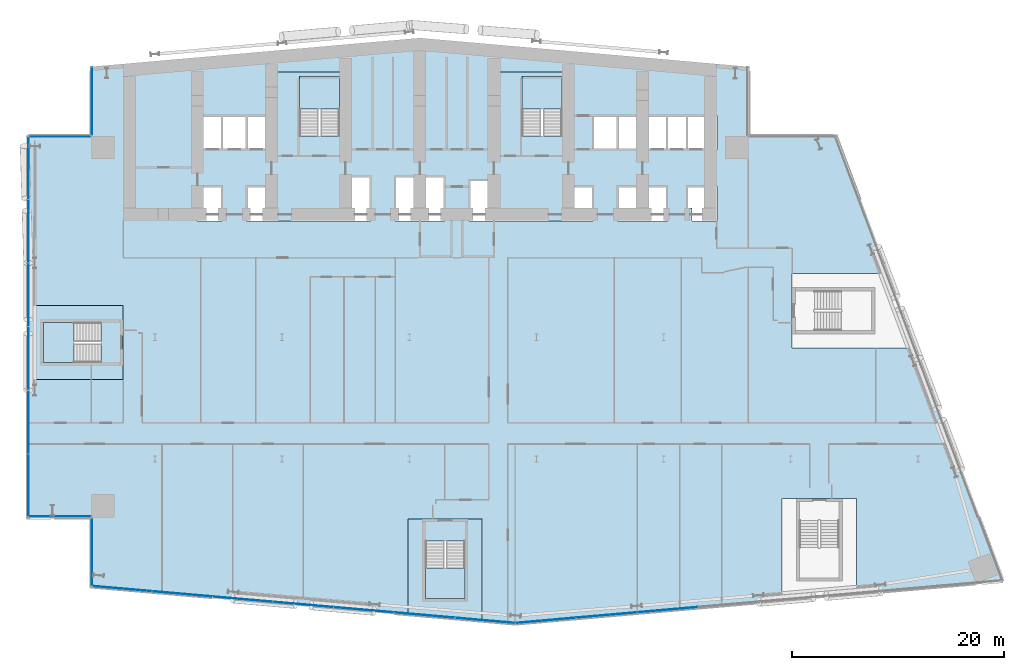
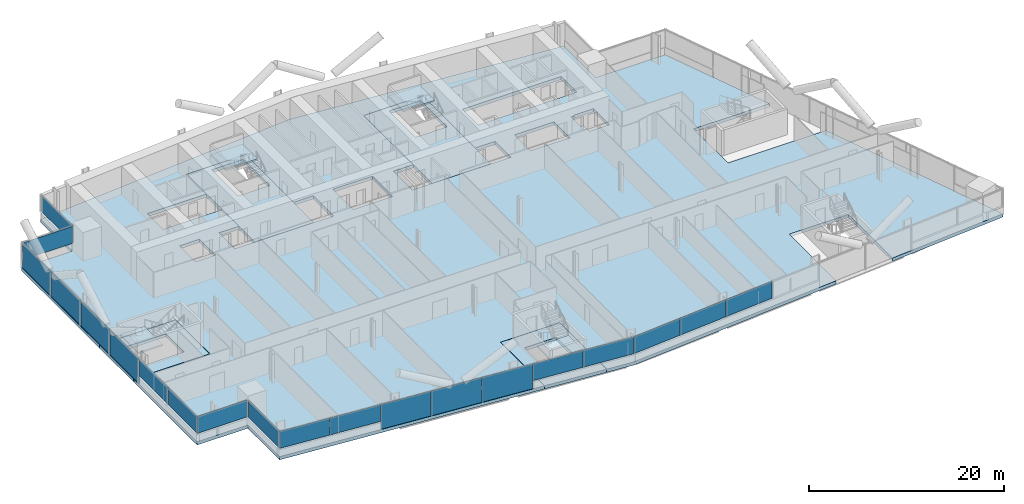
# One storey, part 11 of 27: 20 plates, 9 slabs, 11 elements without a shape of their own.
"""IFC4 building model written with IfcOpenShell, lengths in metres."""

from ifc_helpers import new_model, si_unit, direction, frame, origin, origin_2d, place, context, subcontext, project, spatial, polyline, rectangle, outline, extrude, material, layer, layer_set, type_object, element, aggregate, save


model = new_model("IFC4")

# Units and contexts
model_context = context("Model", 3, precision=1e-05, world=origin(), true_north=direction((0.0, 1.0)))
body_context = subcontext(model_context, "Body", "Model", "MODEL_VIEW")
ifc_project = project(units=[si_unit("LENGTHUNIT", "METRE"), si_unit("AREAUNIT", "SQUARE_METRE"), si_unit("VOLUMEUNIT", "CUBIC_METRE"), si_unit("PLANEANGLEUNIT", "RADIAN"), si_unit("MASSUNIT", "GRAM", prefix="KILO")], contexts=[model_context])

# Site, building, storey
site_placement = place(None, origin())
site = spatial("IfcSite", under=ifc_project, at=site_placement, CompositionType="ELEMENT")
building_placement = place(site_placement, origin())
building = spatial("IfcBuilding", under=site, at=building_placement, Name="Wharfspan Tower", CompositionType="ELEMENT")
storey_placement = place(building_placement, frame((0.0, 0.0, 84.699951)))
storey = spatial("IfcBuildingStorey", under=building, at=storey_placement, Name="L18", CompositionType="ELEMENT", Elevation=84.699951)

# Curtain wall, plates
ifc_material_1 = material(Name="Aluminium 6063-T6", Category="aluminium")
curtain_wall_type_1 = type_object("IfcCurtainWallType", Name="CURTAIN WALL FACETED FRONT", PredefinedType="NOTDEFINED", material=ifc_material_1)
curtain_wall_1_placement = place(storey_placement, origin())
curtain_wall_1 = element("IfcCurtainWall", 1, at=curtain_wall_1_placement, inside=storey, type_object=curtain_wall_type_1, Name="Curtain wall S1", PredefinedType="NOTDEFINED")
ifc_material_2 = material(Name="Glass clear low-iron double glazing", Category="glass")
ifc_layer_1 = layer(ifc_material_2, 0.040039)
ifc_layer_set_1 = layer_set([ifc_layer_1], Name="Glass clear low-iron double glazing")
plate_type_1 = type_object("IfcPlateType", Name="GLASS PANEL FACETED FRONT 40", PredefinedType="CURTAIN_PANEL", material=ifc_layer_set_1)
plate_1_placement = place(storey_placement, frame((8.877197, -0.716553, 1.0), z_axis=(0.0, 0.0, 1.0), x_axis=(0.996197, -0.087156, 0.0)))
plate_1 = element("IfcPlate", 2, at=plate_1_placement, type_object=plate_type_1, Name="Curtain wall S1 panel 1", PredefinedType="CURTAIN_PANEL", context=body_context, shape_type="SweptSolid", body=[
    extrude(rectangle(XDim=5.645996, YDim=0.040039, at=origin_2d()), origin(), (0.0, 0.0, 1.0), 2.120117),
])
plate_2_placement = place(storey_placement, frame((14.57666, -1.215088, 1.0), z_axis=(0.0, 0.0, 1.0), x_axis=(0.996197, -0.087156, 0.0)))
plate_2 = element("IfcPlate", 3, at=plate_2_placement, type_object=plate_type_1, Name="Curtain wall S1 panel 2", PredefinedType="CURTAIN_PANEL", context=body_context, shape_type="SweptSolid", body=[
    extrude(rectangle(XDim=5.676025, YDim=0.040039, at=origin_2d()), origin(), (0.0, 0.0, 1.0), 2.120117),
])
plate_3_placement = place(storey_placement, frame((37.433838, -3.214844, 1.0), z_axis=(0.0, 0.0, 1.0), x_axis=(0.996197, -0.087156, 0.0)))
plate_3 = element("IfcPlate", 4, at=plate_3_placement, type_object=plate_type_1, Name="Curtain wall S1 panel 6", PredefinedType="CURTAIN_PANEL", context=body_context, shape_type="SweptSolid", body=[
    extrude(rectangle(XDim=5.676025, YDim=0.040039, at=origin_2d()), origin(), (0.0, 0.0, 1.0), 2.120117),
])
plate_4_placement = place(storey_placement, frame((43.133057, -3.713379, 1.0), z_axis=(0.0, 0.0, 1.0), x_axis=(0.996197, -0.087156, 0.0)))
plate_4 = element("IfcPlate", 5, at=plate_4_placement, type_object=plate_type_1, Name="Curtain wall S1 panel 7", PredefinedType="CURTAIN_PANEL", context=body_context, shape_type="SweptSolid", body=[
    extrude(rectangle(XDim=5.645996, YDim=0.040039, at=origin_2d()), origin(), (0.0, 0.0, 1.0), 2.120117),
])

curtain_wall_2_placement = place(storey_placement, origin())
curtain_wall_2 = element("IfcCurtainWall", 6, at=curtain_wall_2_placement, inside=storey, type_object=curtain_wall_type_1, Name="Curtain wall S2", PredefinedType="NOTDEFINED")
plate_5_placement = place(storey_placement, frame((48.884766, -3.711914, 1.0), z_axis=(0.0, 0.0, 1.0), x_axis=(0.996197, 0.087156, 0.0)))
plate_5 = element("IfcPlate", 7, at=plate_5_placement, type_object=plate_type_1, Name="Curtain wall S2 panel 1", PredefinedType="CURTAIN_PANEL", context=body_context, shape_type="SweptSolid", body=[
    extrude(rectangle(XDim=5.681885, YDim=0.040039, at=origin_2d()), origin(), (0.0, 0.0, 1.0), 2.120117),
])
plate_6_placement = place(storey_placement, frame((54.619873, -3.210205, 1.0), z_axis=(0.0, 0.0, 1.0), x_axis=(0.996197, 0.087156, 0.0)))
plate_6 = element("IfcPlate", 8, at=plate_6_placement, type_object=plate_type_1, Name="Curtain wall S2 panel 2", PredefinedType="CURTAIN_PANEL", context=body_context, shape_type="SweptSolid", body=[
    extrude(rectangle(XDim=5.711914, YDim=0.040039, at=origin_2d()), origin(), (0.0, 0.0, 1.0), 2.120117),
])
plate_7_placement = place(storey_placement, frame((60.369873, -2.707031, 1.0), z_axis=(0.0, 0.0, 1.0), x_axis=(0.996197, 0.087156, 0.0)))
plate_7 = element("IfcPlate", 9, at=plate_7_placement, type_object=plate_type_1, Name="Curtain wall S2 panel 3", PredefinedType="CURTAIN_PANEL", context=body_context, shape_type="SweptSolid", body=[
    extrude(rectangle(XDim=5.711914, YDim=0.040039, at=origin_2d()), origin(), (0.0, 0.0, 1.0), 2.120117),
])
aggregate(curtain_wall_2, [plate_5, plate_6, plate_7])

# Curtain wall, plate
curtain_wall_type_2 = type_object("IfcCurtainWallType", Name="CURTAIN WALL PROW AND END", PredefinedType="NOTDEFINED", material=ifc_material_1)
curtain_wall_3_placement = place(storey_placement, origin())
curtain_wall_3 = element("IfcCurtainWall", 10, at=curtain_wall_3_placement, inside=storey, type_object=curtain_wall_type_2, Name="Curtain wall NRW-V", PredefinedType="NOTDEFINED")
ifc_layer_2 = layer(ifc_material_2, 0.040039)
ifc_layer_set_2 = layer_set([ifc_layer_2], Name="Glass clear low-iron double glazing")
plate_type_2 = type_object("IfcPlateType", Name="GLASS PANEL PROW AND END 40", PredefinedType="CURTAIN_PANEL", material=ifc_layer_set_2)
plate_8_placement = place(storey_placement, frame((6.080078, 45.262451, 1.0), z_axis=(0.0, 0.0, 1.0), x_axis=(0.0, -1.0, 0.0)))
plate_8 = element("IfcPlate", 11, at=plate_8_placement, type_object=plate_type_2, Name="Curtain wall NRW-V panel 1", PredefinedType="CURTAIN_PANEL", context=body_context, shape_type="SweptSolid", body=[
    extrude(rectangle(XDim=6.405029, YDim=0.040039, at=origin_2d()), origin(), (0.0, 0.0, 1.0), 2.120117),
])
aggregate(curtain_wall_3, [plate_8])

curtain_wall_4_placement = place(storey_placement, origin())
curtain_wall_4 = element("IfcCurtainWall", 12, at=curtain_wall_4_placement, inside=storey, type_object=curtain_wall_type_2, Name="Curtain wall NRW-H", PredefinedType="NOTDEFINED")
plate_9_placement = place(storey_placement, frame((3.0, 41.919922, 1.0), z_axis=(0.0, 0.0, 1.0), x_axis=(-1.0, 0.0, 0.0)))
plate_9 = element("IfcPlate", 13, at=plate_9_placement, type_object=plate_type_2, Name="Curtain wall NRW-H panel 1", PredefinedType="CURTAIN_PANEL", context=body_context, shape_type="SweptSolid", body=[
    extrude(rectangle(XDim=5.879883, YDim=0.040039, at=origin_2d()), origin(), (0.0, 0.0, 1.0), 2.120117),
])
aggregate(curtain_wall_4, [plate_9])

# Curtain wall, plates
curtain_wall_5_placement = place(storey_placement, origin())
curtain_wall_5 = element("IfcCurtainWall", 14, at=curtain_wall_5_placement, inside=storey, type_object=curtain_wall_type_2, Name="Curtain wall W", PredefinedType="NOTDEFINED")
plate_10_placement = place(storey_placement, frame((0.080078, 15.0, 1.0), z_axis=(0.0, 0.0, 1.0), x_axis=(0.0, -1.0, 0.0)))
plate_10 = element("IfcPlate", 15, at=plate_10_placement, type_object=plate_type_2, Name="Curtain wall W panel 5", PredefinedType="CURTAIN_PANEL", context=body_context, shape_type="SweptSolid", body=[
    extrude(rectangle(XDim=5.939941, YDim=0.040039, at=origin_2d()), origin(), (0.0, 0.0, 1.0), 2.120117),
])
plate_11_placement = place(storey_placement, frame((0.080078, 9.014893, 1.0), z_axis=(0.0, 0.0, 1.0), x_axis=(0.0, -1.0, 0.0)))
plate_11 = element("IfcPlate", 16, at=plate_11_placement, type_object=plate_type_2, Name="Curtain wall W panel 6", PredefinedType="CURTAIN_PANEL", context=body_context, shape_type="SweptSolid", body=[
    extrude(rectangle(XDim=5.909912, YDim=0.040039, at=origin_2d()), origin(), (0.0, 0.0, 1.0), 2.120117),
])

# Curtain wall, plate
curtain_wall_6_placement = place(storey_placement, origin())
curtain_wall_6 = element("IfcCurtainWall", 17, at=curtain_wall_6_placement, inside=storey, type_object=curtain_wall_type_2, Name="Curtain wall NFW-H", PredefinedType="NOTDEFINED")
plate_12_placement = place(storey_placement, frame((3.0, 6.080078, 1.0), z_axis=(0.0, 0.0, 1.0), x_axis=(1.0, 0.0, 0.0)))
plate_12 = element("IfcPlate", 18, at=plate_12_placement, type_object=plate_type_2, Name="Curtain wall NFW-H panel 1", PredefinedType="CURTAIN_PANEL", context=body_context, shape_type="SweptSolid", body=[
    extrude(rectangle(XDim=5.879883, YDim=0.040039, at=origin_2d()), origin(), (0.0, 0.0, 1.0), 2.120117),
])
aggregate(curtain_wall_6, [plate_12])

curtain_wall_7_placement = place(storey_placement, origin())
curtain_wall_7 = element("IfcCurtainWall", 19, at=curtain_wall_7_placement, inside=storey, type_object=curtain_wall_type_2, Name="Curtain wall NFW-V", PredefinedType="NOTDEFINED")
plate_13_placement = place(storey_placement, frame((6.080078, 2.737549, 1.0), z_axis=(0.0, 0.0, 1.0), x_axis=(0.0, -1.0, 0.0)))
plate_13 = element("IfcPlate", 20, at=plate_13_placement, type_object=plate_type_2, Name="Curtain wall NFW-V panel 1", PredefinedType="CURTAIN_PANEL", context=body_context, shape_type="SweptSolid", body=[
    extrude(rectangle(XDim=6.405029, YDim=0.040039, at=origin_2d()), origin(), (0.0, 0.0, 1.0), 2.120117),
])
aggregate(curtain_wall_7, [plate_13])

# Plate
ifc_material_3 = material(Name="Aluminium composite opaque insulated panel", Category="aluminium")
ifc_layer_3 = layer(ifc_material_3, 0.040039)
ifc_layer_set_3 = layer_set([ifc_layer_3], Name="Aluminium composite opaque insulated panel")
plate_type_3 = type_object("IfcPlateType", Name="INFILL PANEL FACETED FRONT OPAQUE 40", PredefinedType="SHEET", material=ifc_layer_set_3)
plate_14_placement = place(storey_placement, frame((20.291016, -1.715088, 0.0), z_axis=(0.0, 0.0, 1.0), x_axis=(0.996197, -0.087156, 0.0)))
plate_14 = element("IfcPlate", 21, at=plate_14_placement, type_object=plate_type_3, Name="Curtain wall S1 panel 3", PredefinedType="SHEET", context=body_context, shape_type="SweptSolid", body=[
    extrude(rectangle(XDim=5.676025, YDim=0.040039, at=origin_2d()), origin(), (0.0, 0.0, 1.0), 3.120117),
])

plate_15_placement = place(storey_placement, frame((26.005127, -2.214844, 0.0), z_axis=(0.0, 0.0, 1.0), x_axis=(0.996197, -0.087156, 0.0)))
plate_15 = element("IfcPlate", 22, at=plate_15_placement, type_object=plate_type_3, Name="Curtain wall S1 panel 4", PredefinedType="SHEET", context=body_context, shape_type="SweptSolid", body=[
    extrude(rectangle(XDim=5.676025, YDim=0.040039, at=origin_2d()), origin(), (0.0, 0.0, 1.0), 3.120117),
])

plate_16_placement = place(storey_placement, frame((31.719482, -2.714844, 0.0), z_axis=(0.0, 0.0, 1.0), x_axis=(0.996197, -0.087156, 0.0)))
plate_16 = element("IfcPlate", 23, at=plate_16_placement, type_object=plate_type_3, Name="Curtain wall S1 panel 5", PredefinedType="SHEET", context=body_context, shape_type="SweptSolid", body=[
    extrude(rectangle(XDim=5.676025, YDim=0.040039, at=origin_2d()), origin(), (0.0, 0.0, 1.0), 3.120117),
])

aggregate(curtain_wall_1, [plate_1, plate_2, plate_14, plate_15, plate_16, plate_3, plate_4])

ifc_layer_4 = layer(ifc_material_3, 0.040039)
ifc_layer_set_4 = layer_set([ifc_layer_4], Name="Aluminium composite opaque insulated panel")
plate_type_4 = type_object("IfcPlateType", Name="INFILL PANEL PROW AND END OPAQUE 40", PredefinedType="SHEET", material=ifc_layer_set_4)
plate_17_placement = place(storey_placement, frame((0.080078, 38.985107, 0.0), z_axis=(0.0, 0.0, 1.0), x_axis=(0.0, -1.0, 0.0)))
plate_17 = element("IfcPlate", 24, at=plate_17_placement, type_object=plate_type_4, Name="Curtain wall W panel 1", PredefinedType="SHEET", context=body_context, shape_type="SweptSolid", body=[
    extrude(rectangle(XDim=5.909912, YDim=0.040039, at=origin_2d()), origin(), (0.0, 0.0, 1.0), 3.120117),
])

plate_18_placement = place(storey_placement, frame((0.080078, 33.0, 0.0), z_axis=(0.0, 0.0, 1.0), x_axis=(0.0, -1.0, 0.0)))
plate_18 = element("IfcPlate", 25, at=plate_18_placement, type_object=plate_type_4, Name="Curtain wall W panel 2", PredefinedType="SHEET", context=body_context, shape_type="SweptSolid", body=[
    extrude(rectangle(XDim=5.939941, YDim=0.040039, at=origin_2d()), origin(), (0.0, 0.0, 1.0), 3.120117),
])

plate_19_placement = place(storey_placement, frame((0.080078, 27.0, 0.0), z_axis=(0.0, 0.0, 1.0), x_axis=(0.0, -1.0, 0.0)))
plate_19 = element("IfcPlate", 26, at=plate_19_placement, type_object=plate_type_4, Name="Curtain wall W panel 3", PredefinedType="SHEET", context=body_context, shape_type="SweptSolid", body=[
    extrude(rectangle(XDim=5.939941, YDim=0.040039, at=origin_2d()), origin(), (0.0, 0.0, 1.0), 3.120117),
])

plate_20_placement = place(storey_placement, frame((0.080078, 21.0, 0.0), z_axis=(0.0, 0.0, 1.0), x_axis=(0.0, -1.0, 0.0)))
plate_20 = element("IfcPlate", 27, at=plate_20_placement, type_object=plate_type_4, Name="Curtain wall W panel 4", PredefinedType="SHEET", context=body_context, shape_type="SweptSolid", body=[
    extrude(rectangle(XDim=5.939941, YDim=0.040039, at=origin_2d()), origin(), (0.0, 0.0, 1.0), 3.120117),
])

aggregate(curtain_wall_5, [plate_17, plate_18, plate_19, plate_20, plate_10, plate_11])

# Slabs
ifc_material_4 = material(Name="Concrete C40/50", Category="concrete")
ifc_layer_5 = layer(ifc_material_4, 0.399902)
ifc_layer_set_5 = layer_set([ifc_layer_5], Name="Concrete C40/50")
slab_type_1 = type_object("IfcSlabType", Name="Post-tensioned flat slab 400", PredefinedType="FLOOR", material=ifc_layer_set_5)
slab_1_placement = place(storey_placement, frame((0.0, 0.0, -0.400146)))
element("IfcSlab", 28, at=slab_1_placement, inside=storey, type_object=slab_type_1, Name="Floor slab L18", PredefinedType="FLOOR", context=body_context, shape_type="SweptSolid", body=[
    extrude(outline(polyline([(35.873291, -3.138428), (35.873291, 5.870605), (42.893311, 5.870605), (42.893311, -3.752686), (46.0, -4.024414), (71.182617, -1.821289), (71.182617, 7.802002), (78.202393, 7.802002), (78.202393, -1.207031), (92.0, 0.0), (83.753662, 21.98999), (72.11499, 21.98999), (72.11499, 29.01001), (81.121338, 29.01001), (76.25, 42.0), (68.0, 42.0), (68.0, 48.524902), (37.0, 51.237061), (6.0, 48.524902), (6.0, 42.0), (0.0, 42.0), (0.0, 26.01001), (9.01001, 26.01001), (9.01001, 18.98999), (0.0, 18.98999), (0.0, 6.0), (6.0, 6.0), (6.0, -0.524902), (35.873291, -3.138428)]), holes=[polyline([(62.290039, 37.159912), (62.656738, 37.159912), (62.656738, 37.26001), (65.01001, 37.26001), (65.01001, 33.98999), (62.656738, 33.98999), (62.656738, 35.189941), (62.290039, 35.189941), (62.290039, 37.159912)]), polyline([(65.01001, 43.909912), (65.01001, 40.689941), (53.323242, 40.689941), (53.323242, 43.909912), (65.01001, 43.909912)]), polyline([(55.656738, 33.98999), (55.656738, 37.26001), (60.343262, 37.26001), (60.343262, 33.98999), (55.656738, 33.98999)]), polyline([(43.98999, 37.860107), (43.98999, 48.01001), (51.01001, 48.01001), (51.01001, 37.26001), (53.343262, 37.26001), (53.343262, 33.98999), (41.656738, 33.98999), (41.656738, 37.860107), (43.98999, 37.860107)]), polyline([(34.656738, 33.98999), (34.656738, 38.159912), (39.343262, 38.159912), (39.343262, 33.98999), (34.656738, 33.98999)]), polyline([(15.98999, 40.689941), (15.98999, 43.909912), (20.656738, 43.909912), (20.676758, 43.909912), (22.98999, 43.909912), (22.98999, 48.01001), (30.01001, 48.01001), (30.01001, 38.159912), (32.343262, 38.159912), (32.343262, 33.98999), (20.656738, 33.98999), (20.656738, 37.26001), (22.98999, 37.26001), (22.98999, 40.689941), (20.676758, 40.689941), (20.656738, 40.689941), (15.98999, 40.689941)]), polyline([(18.343262, 37.26001), (18.343262, 33.98999), (15.98999, 33.98999), (15.98999, 37.26001), (18.343262, 37.26001)])]), origin(), (0.0, 0.0, 1.0), 0.400146),
])
slab_2_placement = place(storey_placement, frame((0.0, 0.0, -0.400146)))
element("IfcSlab", 29, at=slab_2_placement, inside=storey, type_object=slab_type_1, Name="Core floor slab L18 part 1", PredefinedType="FLOOR", context=body_context, shape_type="SweptSolid", body=[
    extrude(outline(polyline([(9.0, 20.324951), (9.0, 24.675049), (9.0, 26.0), (0.0, 26.0), (0.0, 19.0), (9.0, 19.0), (9.0, 20.324951)]), holes=[polyline([(6.9021, 20.625), (6.9021, 20.624756), (6.9021, 20.624512), (6.901855, 20.624512), (6.901855, 20.624268), (6.901855, 20.624023), (6.901611, 20.623779), (6.901611, 20.623779), (6.901367, 20.623535), (6.901367, 20.623535), (6.901123, 20.623291), (6.900879, 20.623291), (6.900879, 20.623291), (6.900635, 20.623047), (6.900391, 20.623047), (6.900146, 20.623047), (6.899902, 20.623047), (1.5, 20.623047), (1.499756, 20.623047), (1.499512, 20.623047), (1.499512, 20.623047), (1.499268, 20.623291), (1.499023, 20.623291), (1.498779, 20.623291), (1.498779, 20.623535), (1.498535, 20.623535), (1.498535, 20.623779), (1.498291, 20.623779), (1.498291, 20.624023), (1.498291, 20.624268), (1.498047, 20.624512), (1.498047, 20.624512), (1.498047, 20.624756), (1.498047, 20.625), (1.498047, 24.375), (1.498047, 24.375244), (1.498047, 24.375488), (1.498047, 24.375488), (1.498291, 24.375732), (1.498291, 24.375977), (1.498291, 24.376221), (1.498535, 24.376221), (1.498535, 24.376465), (1.498779, 24.376465), (1.498779, 24.376709), (1.499023, 24.376709), (1.499268, 24.376709), (1.499512, 24.376953), (1.499512, 24.376953), (1.499756, 24.376953), (1.5, 24.376953), (6.899902, 24.376953), (6.900146, 24.376953), (6.900391, 24.376953), (6.900635, 24.376953), (6.900879, 24.376709), (6.900879, 24.376709), (6.901123, 24.376709), (6.901367, 24.376465), (6.901367, 24.376465), (6.901611, 24.376221), (6.901611, 24.376221), (6.901855, 24.375977), (6.901855, 24.375732), (6.901855, 24.375488), (6.9021, 24.375488), (6.9021, 24.375244), (6.9021, 24.375), (6.9021, 20.625)])]), origin(), (0.0, 0.0, 1.0), 0.400146),
])
slab_3_placement = place(storey_placement, frame((0.0, 0.0, -0.400146)))
element("IfcSlab", 30, at=slab_3_placement, inside=storey, type_object=slab_type_1, Name="Core floor slab L18 part 2", PredefinedType="FLOOR", context=body_context, shape_type="SweptSolid", body=[
    extrude(outline(polyline([(20.664795, 34.0), (20.664795, 37.25), (20.664795, 37.250244), (20.664795, 37.250488), (20.664795, 37.250488), (20.664795, 37.250732), (20.664795, 37.250977), (20.665039, 37.251221), (20.665039, 37.251221), (20.665283, 37.251465), (20.665283, 37.251465), (20.665527, 37.251709), (20.665771, 37.251709), (20.666016, 37.251709), (20.666016, 37.251953), (20.66626, 37.251953), (20.666504, 37.251953), (20.666748, 37.251953), (23.0, 37.251953), (23.000244, 37.251953), (23.000488, 37.251953), (23.000488, 37.251953), (23.000732, 37.251709), (23.000977, 37.251709), (23.001221, 37.251709), (23.001221, 37.251465), (23.001465, 37.251465), (23.001465, 37.251221), (23.001709, 37.251221), (23.001709, 37.250977), (23.001709, 37.250732), (23.001953, 37.250488), (23.001953, 37.250488), (23.001953, 37.250244), (23.001953, 37.25), (23.001953, 34.0), (29.998047, 34.0), (29.998047, 38.149902), (29.998047, 38.150146), (29.998047, 38.150391), (29.998047, 38.150635), (29.998291, 38.150879), (29.998291, 38.150879), (29.998291, 38.151123), (29.998535, 38.151367), (29.998535, 38.151367), (29.998779, 38.151611), (29.998779, 38.151611), (29.999023, 38.151855), (29.999268, 38.151855), (29.999512, 38.151855), (29.999512, 38.1521), (29.999756, 38.1521), (30.0, 38.1521), (32.333252, 38.1521), (32.333496, 38.1521), (32.33374, 38.1521), (32.333984, 38.151855), (32.333984, 38.151855), (32.334229, 38.151855), (32.334473, 38.151611), (32.334717, 38.151611), (32.334717, 38.151367), (32.334961, 38.151367), (32.334961, 38.151123), (32.335205, 38.150879), (32.335205, 38.150879), (32.335205, 38.150635), (32.335205, 38.150391), (32.335205, 38.150146), (32.335205, 38.149902), (32.335205, 34.0), (32.341309, 34.0), (32.341309, 38.157959), (30.01001, 38.157959), (30.009766, 38.157959), (30.009521, 38.157959), (30.009521, 38.158203), (30.009277, 38.158203), (30.009033, 38.158203), (30.008789, 38.158203), (30.008789, 38.158447), (30.008545, 38.158691), (30.008545, 38.158691), (30.008301, 38.158936), (30.008301, 38.15918), (30.008301, 38.15918), (30.008057, 38.159424), (30.008057, 38.159668), (30.008057, 38.159912), (30.008057, 38.159912), (30.008057, 48.008057), (22.991943, 48.008057), (22.991943, 43.909912), (22.991943, 43.909912), (22.991943, 43.909668), (22.991943, 43.909424), (22.991699, 43.90918), (22.991699, 43.90918), (22.991699, 43.908936), (22.991455, 43.908691), (22.991455, 43.908691), (22.991211, 43.908447), (22.991211, 43.908203), (22.990967, 43.908203), (22.990723, 43.908203), (22.990479, 43.908203), (22.990479, 43.907959), (22.990234, 43.907959), (22.98999, 43.907959), (15.991943, 43.907959), (15.991943, 40.691895), (22.98999, 40.691895), (22.990234, 40.691895), (22.990479, 40.691895), (22.990479, 40.691895), (22.990723, 40.691895), (22.990967, 40.691895), (22.991211, 40.69165), (22.991211, 40.691406), (22.991455, 40.691406), (22.991455, 40.691406), (22.991699, 40.691162), (22.991699, 40.690918), (22.991699, 40.690918), (22.991943, 40.690674), (22.991943, 40.69043), (22.991943, 40.690186), (22.991943, 40.689941), (22.991943, 37.26001), (22.991943, 37.259766), (22.991943, 37.259521), (22.991943, 37.259521), (22.991699, 37.259277), (22.991699, 37.259033), (22.991699, 37.258789), (22.991455, 37.258789), (22.991455, 37.258545), (22.991211, 37.258545), (22.991211, 37.258301), (22.990967, 37.258301), (22.990723, 37.258301), (22.990479, 37.258057), (22.990479, 37.258057), (22.990234, 37.258057), (22.98999, 37.258057), (20.658691, 37.258057), (20.658691, 34.0), (20.664795, 34.0)]), holes=[polyline([(29.4021, 42.0), (29.4021, 41.999756), (29.4021, 41.999512), (29.401855, 41.999512), (29.401855, 41.999268), (29.401855, 41.999023), (29.401611, 41.998779), (29.401611, 41.998779), (29.401367, 41.998535), (29.401367, 41.998535), (29.401123, 41.998291), (29.400879, 41.998291), (29.400879, 41.998291), (29.400635, 41.998047), (29.400391, 41.998047), (29.400146, 41.998047), (29.399902, 41.998047), (25.649902, 41.998047), (25.649902, 41.998047), (25.649658, 41.998047), (25.649414, 41.998047), (25.64917, 41.998291), (25.64917, 41.998291), (25.648926, 41.998291), (25.648682, 41.998535), (25.648682, 41.998535), (25.648438, 41.998779), (25.648193, 41.998779), (25.648193, 41.999023), (25.648193, 41.999268), (25.648193, 41.999512), (25.647949, 41.999512), (25.647949, 41.999756), (25.647949, 42.0), (25.647949, 47.399902), (25.647949, 47.400146), (25.647949, 47.400391), (25.648193, 47.400635), (25.648193, 47.400879), (25.648193, 47.400879), (25.648193, 47.401123), (25.648438, 47.401367), (25.648682, 47.401367), (25.648682, 47.401611), (25.648926, 47.401611), (25.64917, 47.401855), (25.64917, 47.401855), (25.649414, 47.401855), (25.649658, 47.4021), (25.649902, 47.4021), (25.649902, 47.4021), (29.399902, 47.4021), (29.400146, 47.4021), (29.400391, 47.4021), (29.400635, 47.401855), (29.400879, 47.401855), (29.400879, 47.401855), (29.401123, 47.401611), (29.401367, 47.401611), (29.401367, 47.401367), (29.401611, 47.401367), (29.401611, 47.401123), (29.401855, 47.400879), (29.401855, 47.400879), (29.401855, 47.400635), (29.4021, 47.400391), (29.4021, 47.400146), (29.4021, 47.399902), (29.4021, 42.0)]), polyline([(16.0, 40.697998), (15.999756, 40.697998), (15.999512, 40.697998), (15.999512, 40.697998), (15.999268, 40.698242), (15.999023, 40.698242), (15.998779, 40.698242), (15.998779, 40.698486), (15.998535, 40.698486), (15.998535, 40.69873), (15.998291, 40.698975), (15.998291, 40.699219), (15.998291, 40.699219), (15.998047, 40.699463), (15.998047, 40.699707), (15.998047, 40.699707), (15.998047, 40.699951), (15.998047, 43.899902), (15.998047, 43.900146), (15.998047, 43.900391), (15.998047, 43.900635), (15.998291, 43.900879), (15.998291, 43.900879), (15.998291, 43.901123), (15.998535, 43.901367), (15.998535, 43.901367), (15.998779, 43.901611), (15.998779, 43.901611), (15.999023, 43.901855), (15.999268, 43.901855), (15.999512, 43.901855), (15.999512, 43.9021), (15.999756, 43.9021), (16.0, 43.9021), (20.666748, 43.9021), (20.666748, 43.9021), (23.0, 43.9021), (23.000244, 43.9021), (23.000488, 43.9021), (23.000488, 43.901855), (23.000732, 43.901855), (23.000977, 43.901855), (23.001221, 43.901611), (23.001221, 43.901611), (23.001465, 43.901367), (23.001465, 43.901367), (23.001709, 43.901123), (23.001709, 43.900879), (23.001709, 43.900879), (23.001953, 43.900635), (23.001953, 43.900391), (23.001953, 43.900146), (23.001953, 43.899902), (23.001953, 40.699951), (23.001953, 40.699707), (23.001953, 40.699707), (23.001953, 40.699463), (23.001709, 40.699219), (23.001709, 40.699219), (23.001709, 40.698975), (23.001465, 40.69873), (23.001465, 40.698486), (23.001221, 40.698486), (23.001221, 40.698242), (23.000977, 40.698242), (23.000732, 40.698242), (23.000488, 40.697998), (23.000488, 40.697998), (23.000244, 40.697998), (23.0, 40.697998), (20.666748, 40.697998), (20.666748, 40.697998), (16.0, 40.697998)])]), origin(), (0.0, 0.0, 1.0), 0.400146),
])
slab_4_placement = place(storey_placement, frame((0.0, 0.0, -0.400146)))
element("IfcSlab", 31, at=slab_4_placement, inside=storey, type_object=slab_type_1, Name="Core floor slab L18 part 3", PredefinedType="FLOOR", context=body_context, shape_type="SweptSolid", body=[
    extrude(outline(polyline([(41.55835, 5.860596), (37.208252, 5.860596), (35.883301, 5.860596), (35.883301, -3.139404), (42.883301, -3.751709), (42.883301, 5.860596), (41.55835, 5.860596)]), holes=[polyline([(37.506348, 3.760498), (37.506348, 3.760742), (37.506348, 3.760986), (37.506348, 3.76123), (37.506592, 3.761475), (37.506592, 3.761719), (37.506592, 3.761719), (37.506836, 3.761963), (37.506836, 3.761963), (37.50708, 3.762207), (37.50708, 3.762207), (37.507324, 3.762451), (37.507568, 3.762451), (37.507812, 3.762451), (37.507812, 3.762695), (37.508057, 3.762695), (37.508301, 3.762695), (41.258301, 3.762695), (41.258545, 3.762695), (41.258789, 3.762695), (41.258789, 3.762451), (41.259033, 3.762451), (41.259277, 3.762451), (41.259521, 3.762207), (41.259521, 3.762207), (41.259766, 3.761963), (41.26001, 3.761963), (41.26001, 3.761719), (41.26001, 3.761719), (41.260254, 3.761475), (41.260254, 3.76123), (41.260254, 3.760986), (41.260254, 3.760742), (41.260254, 3.760498), (41.260254, -1.639404), (41.260254, -1.639648), (41.260254, -1.639893), (41.260254, -1.639893), (41.260254, -1.640137), (41.26001, -1.640381), (41.26001, -1.640381), (41.26001, -1.640625), (41.259766, -1.640869), (41.259521, -1.640869), (41.259521, -1.641113), (41.259277, -1.641113), (41.259033, -1.641113), (41.258789, -1.641357), (41.258789, -1.641357), (41.258545, -1.641357), (41.258301, -1.641357), (37.508301, -1.641357), (37.508057, -1.641357), (37.507812, -1.641357), (37.507812, -1.641357), (37.507568, -1.641113), (37.507324, -1.641113), (37.50708, -1.641113), (37.50708, -1.640869), (37.506836, -1.640869), (37.506836, -1.640625), (37.506592, -1.640381), (37.506592, -1.640381), (37.506592, -1.640137), (37.506348, -1.639893), (37.506348, -1.639893), (37.506348, -1.639648), (37.506348, -1.639404), (37.506348, 3.760498)])]), origin(), (0.0, 0.0, 1.0), 0.400146),
])
slab_5_placement = place(storey_placement, frame((0.0, 0.0, -0.400146)))
element("IfcSlab", 32, at=slab_5_placement, inside=storey, type_object=slab_type_1, Name="Core floor slab L18 part 4", PredefinedType="FLOOR", context=body_context, shape_type="SweptSolid", body=[
    extrude(outline(polyline([(53.341309, 34.0), (53.341309, 37.258057), (51.01001, 37.258057), (51.009766, 37.258057), (51.009521, 37.258057), (51.009521, 37.258057), (51.009277, 37.258301), (51.009033, 37.258301), (51.008789, 37.258301), (51.008789, 37.258545), (51.008545, 37.258545), (51.008545, 37.258789), (51.008301, 37.258789), (51.008301, 37.259033), (51.008301, 37.259277), (51.008057, 37.259521), (51.008057, 37.259521), (51.008057, 37.259766), (51.008057, 37.26001), (51.008057, 48.008057), (43.991943, 48.008057), (43.991943, 37.860107), (43.991943, 37.859863), (43.991943, 37.859619), (43.991943, 37.859375), (43.991699, 37.859131), (43.991699, 37.859131), (43.991699, 37.858887), (43.991455, 37.858643), (43.991455, 37.858643), (43.991211, 37.858398), (43.991211, 37.858398), (43.990967, 37.858154), (43.990723, 37.858154), (43.990479, 37.858154), (43.990479, 37.85791), (43.990234, 37.85791), (43.98999, 37.85791), (41.658691, 37.85791), (41.658691, 34.0), (41.664795, 34.0), (41.664795, 37.850098), (41.664795, 37.850098), (41.664795, 37.850342), (41.664795, 37.850586), (41.664795, 37.85083), (41.664795, 37.85083), (41.665039, 37.851074), (41.665039, 37.851318), (41.665283, 37.851318), (41.665283, 37.851562), (41.665527, 37.851807), (41.665771, 37.851807), (41.666016, 37.851807), (41.666016, 37.851807), (41.66626, 37.852051), (41.666504, 37.852051), (41.666748, 37.852051), (44.0, 37.852051), (44.000244, 37.852051), (44.000488, 37.852051), (44.000488, 37.851807), (44.000732, 37.851807), (44.000977, 37.851807), (44.001221, 37.851807), (44.001221, 37.851562), (44.001465, 37.851318), (44.001465, 37.851318), (44.001709, 37.851074), (44.001709, 37.85083), (44.001709, 37.85083), (44.001953, 37.850586), (44.001953, 37.850342), (44.001953, 37.850098), (44.001953, 37.850098), (44.001953, 34.0), (50.998047, 34.0), (50.998047, 37.25), (50.998047, 37.250244), (50.998047, 37.250488), (50.998047, 37.250488), (50.998291, 37.250732), (50.998291, 37.250977), (50.998291, 37.251221), (50.998535, 37.251221), (50.998535, 37.251465), (50.998779, 37.251465), (50.998779, 37.251709), (50.999023, 37.251709), (50.999268, 37.251709), (50.999512, 37.251953), (50.999512, 37.251953), (50.999756, 37.251953), (51.0, 37.251953), (53.333252, 37.251953), (53.333496, 37.251953), (53.33374, 37.251953), (53.333984, 37.251953), (53.333984, 37.251709), (53.334229, 37.251709), (53.334473, 37.251709), (53.334717, 37.251465), (53.334717, 37.251465), (53.334961, 37.251221), (53.334961, 37.251221), (53.335205, 37.250977), (53.335205, 37.250732), (53.335205, 37.250488), (53.335205, 37.250488), (53.335205, 37.250244), (53.335205, 37.25), (53.335205, 34.0), (53.341309, 34.0)]), holes=[polyline([(46.649902, 41.998047), (46.649902, 41.998047), (46.649658, 41.998047), (46.649414, 41.998047), (46.64917, 41.998291), (46.64917, 41.998291), (46.648926, 41.998291), (46.648682, 41.998535), (46.648682, 41.998535), (46.648438, 41.998779), (46.648193, 41.998779), (46.648193, 41.999023), (46.648193, 41.999268), (46.648193, 41.999512), (46.647949, 41.999512), (46.647949, 41.999756), (46.647949, 42.0), (46.647949, 47.399902), (46.647949, 47.400146), (46.647949, 47.400391), (46.648193, 47.400635), (46.648193, 47.400879), (46.648193, 47.400879), (46.648193, 47.401123), (46.648438, 47.401367), (46.648682, 47.401367), (46.648682, 47.401611), (46.648926, 47.401611), (46.64917, 47.401855), (46.64917, 47.401855), (46.649414, 47.401855), (46.649658, 47.4021), (46.649902, 47.4021), (46.649902, 47.4021), (50.399902, 47.4021), (50.400146, 47.4021), (50.400391, 47.4021), (50.400635, 47.401855), (50.400879, 47.401855), (50.400879, 47.401855), (50.401123, 47.401611), (50.401367, 47.401611), (50.401367, 47.401367), (50.401611, 47.401367), (50.401611, 47.401123), (50.401855, 47.400879), (50.401855, 47.400879), (50.401855, 47.400635), (50.4021, 47.400391), (50.4021, 47.400146), (50.4021, 47.399902), (50.4021, 42.0), (50.4021, 41.999756), (50.4021, 41.999512), (50.401855, 41.999512), (50.401855, 41.999268), (50.401855, 41.999023), (50.401611, 41.998779), (50.401611, 41.998779), (50.401367, 41.998535), (50.401367, 41.998535), (50.401123, 41.998291), (50.400879, 41.998291), (50.400879, 41.998291), (50.400635, 41.998047), (50.400391, 41.998047), (50.400146, 41.998047), (50.399902, 41.998047), (46.649902, 41.998047)])]), origin(), (0.0, 0.0, 1.0), 0.400146),
])

# Stair, slab
stair_type = type_object("IfcStairType", Name="Half-turn stair 20 risers 180 mm", PredefinedType="HALF_TURN_STAIR", material=ifc_material_4)
stair_1_placement = place(storey_placement, origin())
stair_1 = element("IfcStair", 33, at=stair_1_placement, inside=storey, type_object=stair_type, Name="L18 stair ST1", PredefinedType="HALF_TURN_STAIR")
ifc_layer_6 = layer(ifc_material_4, 0.199951)
ifc_layer_set_6 = layer_set([ifc_layer_6], Name="Concrete C40/50")
slab_type_2 = type_object("IfcSlabType", Name="Stair landing 200", PredefinedType="LANDING", material=ifc_layer_set_6)
slab_6_placement = place(storey_placement, frame((0.0, 0.0, 1.599854)))
slab_6 = element("IfcSlab", 34, at=slab_6_placement, type_object=slab_type_2, Name="ST1 landing 1", PredefinedType="LANDING", context=body_context, shape_type="SweptSolid", body=[
    extrude(outline(polyline([(25.649902, 44.52002), (29.399902, 44.52002), (29.399902, 47.582764), (25.649902, 47.582764), (25.649902, 44.52002)])), origin(), (0.0, 0.0, 1.0), 0.200195),
])
aggregate(stair_1, [slab_6])

stair_2_placement = place(storey_placement, origin())
stair_2 = element("IfcStair", 35, at=stair_2_placement, inside=storey, type_object=stair_type, Name="L18 stair ST2", PredefinedType="HALF_TURN_STAIR")
slab_7_placement = place(storey_placement, frame((0.0, 0.0, 1.599854)))
slab_7 = element("IfcSlab", 36, at=slab_7_placement, type_object=slab_type_2, Name="ST2 landing 1", PredefinedType="LANDING", context=body_context, shape_type="SweptSolid", body=[
    extrude(outline(polyline([(46.649902, 44.52002), (50.399902, 44.52002), (50.399902, 47.582764), (46.649902, 47.582764), (46.649902, 44.52002)])), origin(), (0.0, 0.0, 1.0), 0.200195),
])
aggregate(stair_2, [slab_7])

stair_3_placement = place(storey_placement, origin())
stair_3 = element("IfcStair", 37, at=stair_3_placement, inside=storey, type_object=stair_type, Name="L18 stair ST3", PredefinedType="HALF_TURN_STAIR")
slab_8_placement = place(storey_placement, frame((0.0, 0.0, 1.599854)))
slab_8 = element("IfcSlab", 38, at=slab_8_placement, type_object=slab_type_2, Name="ST3 landing 1", PredefinedType="LANDING", context=body_context, shape_type="SweptSolid", body=[
    extrude(outline(polyline([(4.379883, 24.375), (1.5, 24.375), (1.5, 20.625), (4.379883, 20.625), (4.379883, 24.375)])), origin(), (0.0, 0.0, 1.0), 0.200195),
])
aggregate(stair_3, [slab_8])

stair_4_placement = place(storey_placement, origin())
stair_4 = element("IfcStair", 39, at=stair_4_placement, inside=storey, type_object=stair_type, Name="L18 stair ST4", PredefinedType="HALF_TURN_STAIR")
slab_9_placement = place(storey_placement, frame((0.0, 0.0, 1.599854)))
slab_9 = element("IfcSlab", 40, at=slab_9_placement, type_object=slab_type_2, Name="ST4 landing 1", PredefinedType="LANDING", context=body_context, shape_type="SweptSolid", body=[
    extrude(outline(polyline([(37.508301, 1.240723), (37.508301, -1.639404), (41.258301, -1.639404), (41.258301, 1.240723), (37.508301, 1.240723)])), origin(), (0.0, 0.0, 1.0), 0.200195),
])
aggregate(stair_4, [slab_9])

save(model, "model.ifc")
